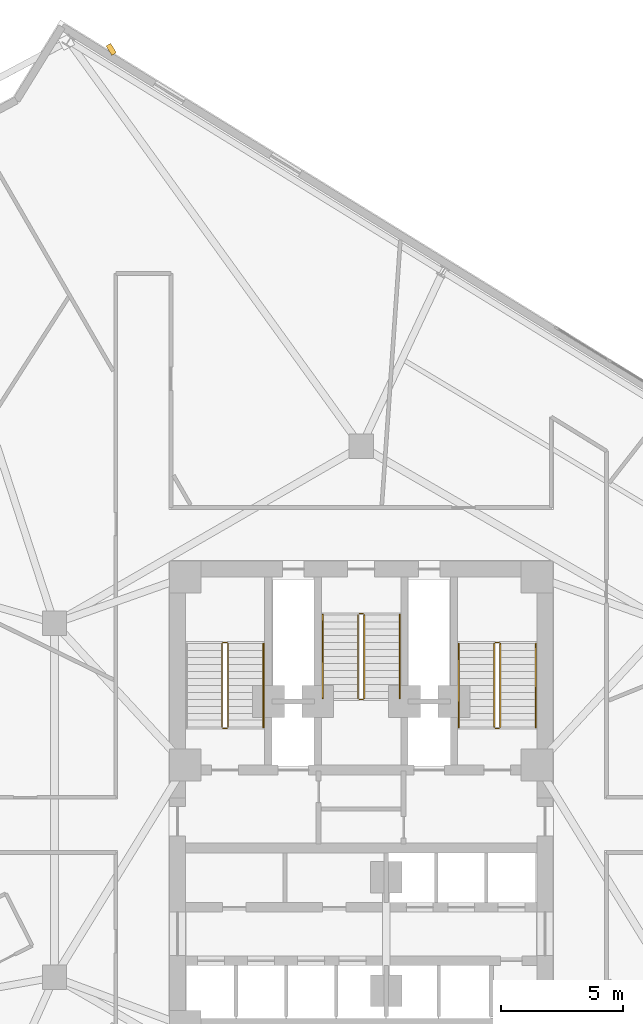
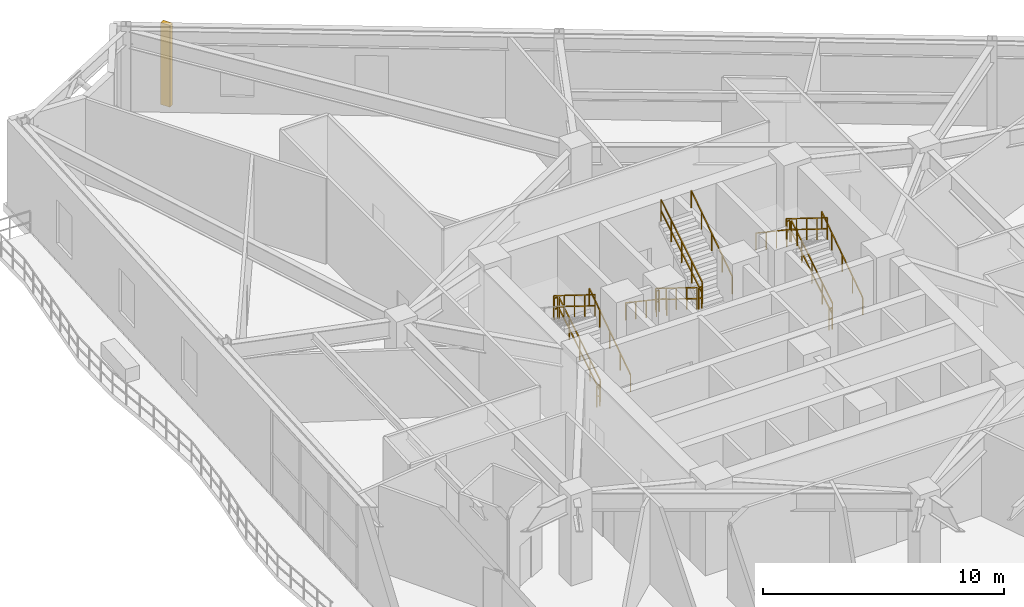
# One storey, part 22 of 22: 17 railings, 1 shading device.
"""IFC4 building model written with IfcOpenShell, lengths in metres."""

from ifc_helpers import new_model, si_unit, direction, frame, origin, origin_2d, place, context, subcontext, project, spatial, rectangle, extrude, material, type_object, element, save


model = new_model("IFC4")

# Units and contexts
model_context = context("Model", 3, precision=1e-05, world=origin(), true_north=direction((0.0, 1.0)))
body_context = subcontext(model_context, "Body", "Model", "MODEL_VIEW")
ifc_project = project(units=[si_unit("LENGTHUNIT", "METRE"), si_unit("AREAUNIT", "SQUARE_METRE"), si_unit("VOLUMEUNIT", "CUBIC_METRE"), si_unit("PLANEANGLEUNIT", "RADIAN"), si_unit("MASSUNIT", "GRAM", prefix="KILO")], contexts=[model_context])

# Site, building, storey
site_placement = place(None, origin())
site = spatial("IfcSite", under=ifc_project, at=site_placement, CompositionType="ELEMENT")
building_placement = place(site_placement, origin())
building = spatial("IfcBuilding", under=site, at=building_placement, Name="Apsidion Concourse Tower", CompositionType="ELEMENT")
storey_placement = place(building_placement, frame((0.0, 0.0, 160.89990234375)))
storey = spatial("IfcBuildingStorey", under=building, at=storey_placement, Name="L37", CompositionType="ELEMENT", Elevation=160.89990234375)

# Railings
ifc_material_1 = material(Name="Brushed stainless steel 316", Category="steel")
railing_type_1 = type_object("IfcRailingType", Name="RL-GUARD-1100", PredefinedType="GUARDRAIL", material=ifc_material_1)
railing_1_placement = place(storey_placement, frame((-5.449951171875, 3.0, 0.177001953125)))
element("IfcRailing", 1, at=railing_1_placement, inside=storey, type_object=railing_type_1, Name="L37 ST1 stair guard 1", PredefinedType="GUARDRAIL", context=body_context, shape_type="SweptSolid", body=[
    extrude(rectangle(XDim=0.048095703125, YDim=0.048095703125, at=origin_2d()), frame((0.0, 0.0, 1.09619140625), z_axis=(0.0, 0.849602680019, 0.527423251388), x_axis=(-1.0, 0.0, 0.0)), (0.0, 0.0, 1.0), 4.025390625),
    extrude(rectangle(XDim=0.048095703125, YDim=0.048095703125, at=origin_2d()), frame((0.0, 0.0, 0.5361328125), z_axis=(0.0, 0.849602680019, 0.527423251388), x_axis=(-1.0, 0.0, 0.0)), (0.0, 0.0, 1.0), 4.025390625),
    extrude(rectangle(XDim=0.0419921875, YDim=0.0419921875, at=origin_2d()), origin(), (0.0, 0.0, 1.0), 1.072021484375),
    extrude(rectangle(XDim=0.0419921875, YDim=0.0419921875, at=origin_2d()), frame((0.0, 0.85498046875, 0.53076171875)), (0.0, 0.0, 1.0), 1.072021484375),
    extrude(rectangle(XDim=0.0419921875, YDim=0.0419921875, at=origin_2d()), frame((0.0, 1.7099609375, 1.0615234375)), (0.0, 0.0, 1.0), 1.072021484375),
    extrude(rectangle(XDim=0.0419921875, YDim=0.0419921875, at=origin_2d()), frame((0.0, 2.56494140625, 1.59228515625)), (0.0, 0.0, 1.0), 1.072021484375),
    extrude(rectangle(XDim=0.0419921875, YDim=0.0419921875, at=origin_2d()), frame((0.0, 3.419921875, 2.123046875)), (0.0, 0.0, 1.0), 1.072021484375),
])
railing_2_placement = place(storey_placement, frame((-5.5, 6.469970703125, 2.300048828125)))
element("IfcRailing", 2, at=railing_2_placement, inside=storey, type_object=railing_type_1, Name="L37 ST1 stair guard 2", PredefinedType="GUARDRAIL", context=body_context, shape_type="SweptSolid", body=[
    extrude(rectangle(XDim=0.048095703125, YDim=0.048095703125, at=origin_2d()), frame((0.0, 0.0, 1.09619140625), z_axis=(-1.0, 0.0, 0.0), x_axis=(0.0, -1.0, 0.0)), (0.0, 0.0, 1.0), 0.14990234375),
    extrude(rectangle(XDim=0.048095703125, YDim=0.048095703125, at=origin_2d()), frame((0.0, 0.0, 0.5361328125), z_axis=(-1.0, 0.0, 0.0), x_axis=(0.0, -1.0, 0.0)), (0.0, 0.0, 1.0), 0.14990234375),
    extrude(rectangle(XDim=0.0419921875, YDim=0.0419921875, at=origin_2d()), origin(), (0.0, 0.0, 1.0), 1.072021484375),
    extrude(rectangle(XDim=0.0419921875, YDim=0.0419921875, at=origin_2d()), frame((-0.14990234375, 0.0, 0.0)), (0.0, 0.0, 1.0), 1.072021484375),
])
railing_3_placement = place(storey_placement, frame((-5.699951171875, 6.419921875, 2.47705078125)))
element("IfcRailing", 3, at=railing_3_placement, inside=storey, type_object=railing_type_1, Name="L37 ST1 stair guard 3", PredefinedType="GUARDRAIL", context=body_context, shape_type="SweptSolid", body=[
    extrude(rectangle(XDim=0.048095703125, YDim=0.048095703125, at=origin_2d()), frame((0.0, 0.0, 1.09619140625), z_axis=(0.0, -0.849602680019, 0.527423251388), x_axis=(1.0, 0.0, 0.0)), (0.0, 0.0, 1.0), 4.025390625),
    extrude(rectangle(XDim=0.048095703125, YDim=0.048095703125, at=origin_2d()), frame((0.0, 0.0, 0.5361328125), z_axis=(0.0, -0.849602680019, 0.527423251388), x_axis=(1.0, 0.0, 0.0)), (0.0, 0.0, 1.0), 4.025390625),
    extrude(rectangle(XDim=0.0419921875, YDim=0.0419921875, at=origin_2d()), origin(), (0.0, 0.0, 1.0), 1.072021484375),
    extrude(rectangle(XDim=0.0419921875, YDim=0.0419921875, at=origin_2d()), frame((0.0, -0.85498046875, 0.53076171875)), (0.0, 0.0, 1.0), 1.072021484375),
    extrude(rectangle(XDim=0.0419921875, YDim=0.0419921875, at=origin_2d()), frame((0.0, -1.7099609375, 1.0615234375)), (0.0, 0.0, 1.0), 1.072021484375),
    extrude(rectangle(XDim=0.0419921875, YDim=0.0419921875, at=origin_2d()), frame((0.0, -2.56494140625, 1.59228515625)), (0.0, 0.0, 1.0), 1.072021484375),
    extrude(rectangle(XDim=0.0419921875, YDim=0.0419921875, at=origin_2d()), frame((0.0, -3.419921875, 2.123046875)), (0.0, 0.0, 1.0), 1.072021484375),
])
railing_4_placement = place(storey_placement, frame((-5.5, 2.949951171875, 0.0)))
element("IfcRailing", 4, at=railing_4_placement, inside=storey, type_object=railing_type_1, Name="L37 ST1 stair guard 4", PredefinedType="GUARDRAIL", context=body_context, shape_type="SweptSolid", body=[
    extrude(rectangle(XDim=0.048095703125, YDim=0.048095703125, at=origin_2d()), frame((0.0, 0.0, 1.09619140625), z_axis=(-1.0, 0.0, 0.0), x_axis=(0.0, -1.0, 0.0)), (0.0, 0.0, 1.0), 0.14990234375),
    extrude(rectangle(XDim=0.048095703125, YDim=0.048095703125, at=origin_2d()), frame((0.0, 0.0, 0.5361328125), z_axis=(-1.0, 0.0, 0.0), x_axis=(0.0, -1.0, 0.0)), (0.0, 0.0, 1.0), 0.14990234375),
    extrude(rectangle(XDim=0.0419921875, YDim=0.0419921875, at=origin_2d()), origin(), (0.0, 0.0, 1.0), 1.072021484375),
    extrude(rectangle(XDim=0.0419921875, YDim=0.0419921875, at=origin_2d()), frame((-0.14990234375, 0.0, 0.0)), (0.0, 0.0, 1.0), 1.072021484375),
])
railing_5_placement = place(storey_placement, frame((5.699951171875, 3.0, 0.177001953125)))
element("IfcRailing", 5, at=railing_5_placement, inside=storey, type_object=railing_type_1, Name="L37 ST2 stair guard 1", PredefinedType="GUARDRAIL", context=body_context, shape_type="SweptSolid", body=[
    extrude(rectangle(XDim=0.048095703125, YDim=0.048095703125, at=origin_2d()), frame((0.0, 0.0, 1.09619140625), z_axis=(0.0, 0.849602680019, 0.527423251388), x_axis=(-1.0, 0.0, 0.0)), (0.0, 0.0, 1.0), 4.025390625),
    extrude(rectangle(XDim=0.048095703125, YDim=0.048095703125, at=origin_2d()), frame((0.0, 0.0, 0.5361328125), z_axis=(0.0, 0.849602680019, 0.527423251388), x_axis=(-1.0, 0.0, 0.0)), (0.0, 0.0, 1.0), 4.025390625),
    extrude(rectangle(XDim=0.0419921875, YDim=0.0419921875, at=origin_2d()), origin(), (0.0, 0.0, 1.0), 1.072021484375),
    extrude(rectangle(XDim=0.0419921875, YDim=0.0419921875, at=origin_2d()), frame((0.0, 0.85498046875, 0.53076171875)), (0.0, 0.0, 1.0), 1.072021484375),
    extrude(rectangle(XDim=0.0419921875, YDim=0.0419921875, at=origin_2d()), frame((0.0, 1.7099609375, 1.0615234375)), (0.0, 0.0, 1.0), 1.072021484375),
    extrude(rectangle(XDim=0.0419921875, YDim=0.0419921875, at=origin_2d()), frame((0.0, 2.56494140625, 1.59228515625)), (0.0, 0.0, 1.0), 1.072021484375),
    extrude(rectangle(XDim=0.0419921875, YDim=0.0419921875, at=origin_2d()), frame((0.0, 3.419921875, 2.123046875)), (0.0, 0.0, 1.0), 1.072021484375),
])
railing_6_placement = place(storey_placement, frame((5.64990234375, 6.469970703125, 2.300048828125)))
element("IfcRailing", 6, at=railing_6_placement, inside=storey, type_object=railing_type_1, Name="L37 ST2 stair guard 2", PredefinedType="GUARDRAIL", context=body_context, shape_type="SweptSolid", body=[
    extrude(rectangle(XDim=0.048095703125, YDim=0.048095703125, at=origin_2d()), frame((0.0, 0.0, 1.09619140625), z_axis=(-1.0, 0.0, 0.0), x_axis=(0.0, -1.0, 0.0)), (0.0, 0.0, 1.0), 0.14990234375),
    extrude(rectangle(XDim=0.048095703125, YDim=0.048095703125, at=origin_2d()), frame((0.0, 0.0, 0.5361328125), z_axis=(-1.0, 0.0, 0.0), x_axis=(0.0, -1.0, 0.0)), (0.0, 0.0, 1.0), 0.14990234375),
    extrude(rectangle(XDim=0.0419921875, YDim=0.0419921875, at=origin_2d()), origin(), (0.0, 0.0, 1.0), 1.072021484375),
    extrude(rectangle(XDim=0.0419921875, YDim=0.0419921875, at=origin_2d()), frame((-0.14990234375, 0.0, 0.0)), (0.0, 0.0, 1.0), 1.072021484375),
])
railing_7_placement = place(storey_placement, frame((5.449951171875, 6.419921875, 2.47705078125)))
element("IfcRailing", 7, at=railing_7_placement, inside=storey, type_object=railing_type_1, Name="L37 ST2 stair guard 3", PredefinedType="GUARDRAIL", context=body_context, shape_type="SweptSolid", body=[
    extrude(rectangle(XDim=0.048095703125, YDim=0.048095703125, at=origin_2d()), frame((0.0, 0.0, 1.09619140625), z_axis=(0.0, -0.849602680019, 0.527423251388), x_axis=(1.0, 0.0, 0.0)), (0.0, 0.0, 1.0), 4.025390625),
    extrude(rectangle(XDim=0.048095703125, YDim=0.048095703125, at=origin_2d()), frame((0.0, 0.0, 0.5361328125), z_axis=(0.0, -0.849602680019, 0.527423251388), x_axis=(1.0, 0.0, 0.0)), (0.0, 0.0, 1.0), 4.025390625),
    extrude(rectangle(XDim=0.0419921875, YDim=0.0419921875, at=origin_2d()), origin(), (0.0, 0.0, 1.0), 1.072021484375),
    extrude(rectangle(XDim=0.0419921875, YDim=0.0419921875, at=origin_2d()), frame((0.0, -0.85498046875, 0.53076171875)), (0.0, 0.0, 1.0), 1.072021484375),
    extrude(rectangle(XDim=0.0419921875, YDim=0.0419921875, at=origin_2d()), frame((0.0, -1.7099609375, 1.0615234375)), (0.0, 0.0, 1.0), 1.072021484375),
    extrude(rectangle(XDim=0.0419921875, YDim=0.0419921875, at=origin_2d()), frame((0.0, -2.56494140625, 1.59228515625)), (0.0, 0.0, 1.0), 1.072021484375),
    extrude(rectangle(XDim=0.0419921875, YDim=0.0419921875, at=origin_2d()), frame((0.0, -3.419921875, 2.123046875)), (0.0, 0.0, 1.0), 1.072021484375),
])
railing_8_placement = place(storey_placement, frame((5.64990234375, 2.949951171875, 0.0)))
element("IfcRailing", 8, at=railing_8_placement, inside=storey, type_object=railing_type_1, Name="L37 ST2 stair guard 4", PredefinedType="GUARDRAIL", context=body_context, shape_type="SweptSolid", body=[
    extrude(rectangle(XDim=0.048095703125, YDim=0.048095703125, at=origin_2d()), frame((0.0, 0.0, 1.09619140625), z_axis=(-1.0, 0.0, 0.0), x_axis=(0.0, -1.0, 0.0)), (0.0, 0.0, 1.0), 0.14990234375),
    extrude(rectangle(XDim=0.048095703125, YDim=0.048095703125, at=origin_2d()), frame((0.0, 0.0, 0.5361328125), z_axis=(-1.0, 0.0, 0.0), x_axis=(0.0, -1.0, 0.0)), (0.0, 0.0, 1.0), 0.14990234375),
    extrude(rectangle(XDim=0.0419921875, YDim=0.0419921875, at=origin_2d()), origin(), (0.0, 0.0, 1.0), 1.072021484375),
    extrude(rectangle(XDim=0.0419921875, YDim=0.0419921875, at=origin_2d()), frame((-0.14990234375, 0.0, 0.0)), (0.0, 0.0, 1.0), 1.072021484375),
])
railing_9_placement = place(storey_placement, frame((-0.125, 7.60009765625, 0.177001953125)))
element("IfcRailing", 9, at=railing_9_placement, inside=storey, type_object=railing_type_1, Name="L37 ST3 stair guard 1", PredefinedType="GUARDRAIL", context=body_context, shape_type="SweptSolid", body=[
    extrude(rectangle(XDim=0.048095703125, YDim=0.048095703125, at=origin_2d()), frame((0.0, 0.0, 1.09619140625), z_axis=(0.0, -0.849619550393, 0.527396074682), x_axis=(1.0, 0.0, 0.0)), (0.0, 0.0, 1.0), 4.025634765625),
    extrude(rectangle(XDim=0.048095703125, YDim=0.048095703125, at=origin_2d()), frame((0.0, 0.0, 0.5361328125), z_axis=(0.0, -0.849619550393, 0.527396074682), x_axis=(1.0, 0.0, 0.0)), (0.0, 0.0, 1.0), 4.025634765625),
    extrude(rectangle(XDim=0.0419921875, YDim=0.0419921875, at=origin_2d()), origin(), (0.0, 0.0, 1.0), 1.072021484375),
    extrude(rectangle(XDim=0.0419921875, YDim=0.0419921875, at=origin_2d()), frame((0.0, -0.85498046875, 0.53076171875)), (0.0, 0.0, 1.0), 1.072021484375),
    extrude(rectangle(XDim=0.0419921875, YDim=0.0419921875, at=origin_2d()), frame((0.0, -1.7099609375, 1.0615234375)), (0.0, 0.0, 1.0), 1.072021484375),
    extrude(rectangle(XDim=0.0419921875, YDim=0.0419921875, at=origin_2d()), frame((0.0, -2.565185546875, 1.59228515625)), (0.0, 0.0, 1.0), 1.072021484375),
    extrude(rectangle(XDim=0.0419921875, YDim=0.0419921875, at=origin_2d()), frame((0.0, -3.420166015625, 2.123046875)), (0.0, 0.0, 1.0), 1.072021484375),
])
railing_10_placement = place(storey_placement, frame((-0.074951171875, 4.1298828125, 2.300048828125)))
element("IfcRailing", 10, at=railing_10_placement, inside=storey, type_object=railing_type_1, Name="L37 ST3 stair guard 2", PredefinedType="GUARDRAIL", context=body_context, shape_type="SweptSolid", body=[
    extrude(rectangle(XDim=0.048095703125, YDim=0.048095703125, at=origin_2d()), frame((0.0, 0.0, 1.09619140625), z_axis=(1.0, 0.0, 0.0), x_axis=(0.0, 1.0, 0.0)), (0.0, 0.0, 1.0), 0.14990234375),
    extrude(rectangle(XDim=0.048095703125, YDim=0.048095703125, at=origin_2d()), frame((0.0, 0.0, 0.5361328125), z_axis=(1.0, 0.0, 0.0), x_axis=(0.0, 1.0, 0.0)), (0.0, 0.0, 1.0), 0.14990234375),
    extrude(rectangle(XDim=0.0419921875, YDim=0.0419921875, at=origin_2d()), origin(), (0.0, 0.0, 1.0), 1.072021484375),
    extrude(rectangle(XDim=0.0419921875, YDim=0.0419921875, at=origin_2d()), frame((0.14990234375, 0.0, 0.0)), (0.0, 0.0, 1.0), 1.072021484375),
])
railing_11_placement = place(storey_placement, frame((0.125, 4.179931640625, 2.47705078125)))
element("IfcRailing", 11, at=railing_11_placement, inside=storey, type_object=railing_type_1, Name="L37 ST3 stair guard 3", PredefinedType="GUARDRAIL", context=body_context, shape_type="SweptSolid", body=[
    extrude(rectangle(XDim=0.048095703125, YDim=0.048095703125, at=origin_2d()), frame((0.0, 0.0, 1.09619140625), z_axis=(0.0, 0.849619550393, 0.527396074682), x_axis=(-1.0, 0.0, 0.0)), (0.0, 0.0, 1.0), 4.025634765625),
    extrude(rectangle(XDim=0.048095703125, YDim=0.048095703125, at=origin_2d()), frame((0.0, 0.0, 0.5361328125), z_axis=(0.0, 0.849619550393, 0.527396074682), x_axis=(-1.0, 0.0, 0.0)), (0.0, 0.0, 1.0), 4.025634765625),
    extrude(rectangle(XDim=0.0419921875, YDim=0.0419921875, at=origin_2d()), origin(), (0.0, 0.0, 1.0), 1.072021484375),
    extrude(rectangle(XDim=0.0419921875, YDim=0.0419921875, at=origin_2d()), frame((0.0, 0.85498046875, 0.53076171875)), (0.0, 0.0, 1.0), 1.072021484375),
    extrude(rectangle(XDim=0.0419921875, YDim=0.0419921875, at=origin_2d()), frame((0.0, 1.7099609375, 1.0615234375)), (0.0, 0.0, 1.0), 1.072021484375),
    extrude(rectangle(XDim=0.0419921875, YDim=0.0419921875, at=origin_2d()), frame((0.0, 2.565185546875, 1.59228515625)), (0.0, 0.0, 1.0), 1.072021484375),
    extrude(rectangle(XDim=0.0419921875, YDim=0.0419921875, at=origin_2d()), frame((0.0, 3.420166015625, 2.123046875)), (0.0, 0.0, 1.0), 1.072021484375),
])
railing_12_placement = place(storey_placement, frame((-0.074951171875, 7.64990234375, 0.0)))
element("IfcRailing", 12, at=railing_12_placement, inside=storey, type_object=railing_type_1, Name="L37 ST3 stair guard 4", PredefinedType="GUARDRAIL", context=body_context, shape_type="SweptSolid", body=[
    extrude(rectangle(XDim=0.048095703125, YDim=0.048095703125, at=origin_2d()), frame((0.0, 0.0, 1.09619140625), z_axis=(1.0, 0.0, 0.0), x_axis=(0.0, 1.0, 0.0)), (0.0, 0.0, 1.0), 0.14990234375),
    extrude(rectangle(XDim=0.048095703125, YDim=0.048095703125, at=origin_2d()), frame((0.0, 0.0, 0.5361328125), z_axis=(1.0, 0.0, 0.0), x_axis=(0.0, 1.0, 0.0)), (0.0, 0.0, 1.0), 0.14990234375),
    extrude(rectangle(XDim=0.0419921875, YDim=0.0419921875, at=origin_2d()), origin(), (0.0, 0.0, 1.0), 1.072021484375),
    extrude(rectangle(XDim=0.0419921875, YDim=0.0419921875, at=origin_2d()), frame((0.14990234375, 0.0, 0.0)), (0.0, 0.0, 1.0), 1.072021484375),
])
railing_type_2 = type_object("IfcRailingType", Name="RL-HAND-900", PredefinedType="HANDRAIL", material=ifc_material_1)
for number, where, name in (
    (13, (-4.0, 3.0, 0.177001953125), "L37 ST1 stair handrail 1"),
    (14, (7.14990234375, 3.0, 0.177001953125), "L37 ST2 stair handrail 1"),
):
    element("IfcRailing", number, at=place(storey_placement, frame(where)), inside=storey, type_object=railing_type_2, Name=name, PredefinedType="HANDRAIL", context=body_context, shape_type="SweptSolid", body=[
        extrude(rectangle(XDim=0.048095703125, YDim=0.048095703125, at=origin_2d()), frame((0.0, 0.0, 0.8759765625), z_axis=(0.0, 0.8297924358, 0.55807214004), x_axis=(-1.0, 0.0, 0.0)), (0.0, 0.0, 1.0), 4.121337890625),
        extrude(rectangle(XDim=0.0419921875, YDim=0.0419921875, at=origin_2d()), origin(), (0.0, 0.0, 1.0), 0.851806640625),
        extrude(rectangle(XDim=0.0419921875, YDim=0.0419921875, at=origin_2d()), frame((0.0, 0.85498046875, 0.574951171875)), (0.0, 0.0, 1.0), 0.851806640625),
        extrude(rectangle(XDim=0.0419921875, YDim=0.0419921875, at=origin_2d()), frame((0.0, 1.7099609375, 1.14990234375)), (0.0, 0.0, 1.0), 0.851806640625),
        extrude(rectangle(XDim=0.0419921875, YDim=0.0419921875, at=origin_2d()), frame((0.0, 2.56494140625, 1.72509765625)), (0.0, 0.0, 1.0), 0.851806640625),
        extrude(rectangle(XDim=0.0419921875, YDim=0.0419921875, at=origin_2d()), frame((0.0, 3.419921875, 2.300048828125)), (0.0, 0.0, 1.0), 0.851806640625),
    ])
railing_13_placement = place(storey_placement, frame((4.0, 6.419921875, 2.47705078125)))
element("IfcRailing", 15, at=railing_13_placement, inside=storey, type_object=railing_type_2, Name="L37 ST2 stair handrail 2", PredefinedType="HANDRAIL", context=body_context, shape_type="SweptSolid", body=[
    extrude(rectangle(XDim=0.048095703125, YDim=0.048095703125, at=origin_2d()), frame((0.0, 0.0, 0.8759765625), z_axis=(0.0, -0.8297924358, 0.55807214004), x_axis=(1.0, 0.0, 0.0)), (0.0, 0.0, 1.0), 4.121337890625),
    extrude(rectangle(XDim=0.0419921875, YDim=0.0419921875, at=origin_2d()), origin(), (0.0, 0.0, 1.0), 0.851806640625),
    extrude(rectangle(XDim=0.0419921875, YDim=0.0419921875, at=origin_2d()), frame((0.0, -0.85498046875, 0.574951171875)), (0.0, 0.0, 1.0), 0.851806640625),
    extrude(rectangle(XDim=0.0419921875, YDim=0.0419921875, at=origin_2d()), frame((0.0, -1.7099609375, 1.14990234375)), (0.0, 0.0, 1.0), 0.851806640625),
    extrude(rectangle(XDim=0.0419921875, YDim=0.0419921875, at=origin_2d()), frame((0.0, -2.56494140625, 1.72509765625)), (0.0, 0.0, 1.0), 0.851806640625),
    extrude(rectangle(XDim=0.0419921875, YDim=0.0419921875, at=origin_2d()), frame((0.0, -3.419921875, 2.300048828125)), (0.0, 0.0, 1.0), 0.851806640625),
])
railing_14_placement = place(storey_placement, frame((-1.574951171875, 7.60009765625, 0.177001953125)))
element("IfcRailing", 16, at=railing_14_placement, inside=storey, type_object=railing_type_2, Name="L37 ST3 stair handrail 1", PredefinedType="HANDRAIL", context=body_context, shape_type="SweptSolid", body=[
    extrude(rectangle(XDim=0.048095703125, YDim=0.048095703125, at=origin_2d()), frame((0.0, 0.0, 0.8759765625), z_axis=(0.0, -0.829810883491, 0.558044709356), x_axis=(1.0, 0.0, 0.0)), (0.0, 0.0, 1.0), 4.12158203125),
    extrude(rectangle(XDim=0.0419921875, YDim=0.0419921875, at=origin_2d()), origin(), (0.0, 0.0, 1.0), 0.851806640625),
    extrude(rectangle(XDim=0.0419921875, YDim=0.0419921875, at=origin_2d()), frame((0.0, -0.85498046875, 0.574951171875)), (0.0, 0.0, 1.0), 0.851806640625),
    extrude(rectangle(XDim=0.0419921875, YDim=0.0419921875, at=origin_2d()), frame((0.0, -1.7099609375, 1.14990234375)), (0.0, 0.0, 1.0), 0.851806640625),
    extrude(rectangle(XDim=0.0419921875, YDim=0.0419921875, at=origin_2d()), frame((0.0, -2.565185546875, 1.72509765625)), (0.0, 0.0, 1.0), 0.851806640625),
    extrude(rectangle(XDim=0.0419921875, YDim=0.0419921875, at=origin_2d()), frame((0.0, -3.420166015625, 2.300048828125)), (0.0, 0.0, 1.0), 0.851806640625),
])
railing_15_placement = place(storey_placement, frame((1.574951171875, 4.179931640625, 2.47705078125)))
element("IfcRailing", 17, at=railing_15_placement, inside=storey, type_object=railing_type_2, Name="L37 ST3 stair handrail 2", PredefinedType="HANDRAIL", context=body_context, shape_type="SweptSolid", body=[
    extrude(rectangle(XDim=0.048095703125, YDim=0.048095703125, at=origin_2d()), frame((0.0, 0.0, 0.8759765625), z_axis=(0.0, 0.829810883491, 0.558044709356), x_axis=(-1.0, 0.0, 0.0)), (0.0, 0.0, 1.0), 4.12158203125),
    extrude(rectangle(XDim=0.0419921875, YDim=0.0419921875, at=origin_2d()), origin(), (0.0, 0.0, 1.0), 0.851806640625),
    extrude(rectangle(XDim=0.0419921875, YDim=0.0419921875, at=origin_2d()), frame((0.0, 0.85498046875, 0.574951171875)), (0.0, 0.0, 1.0), 0.851806640625),
    extrude(rectangle(XDim=0.0419921875, YDim=0.0419921875, at=origin_2d()), frame((0.0, 1.7099609375, 1.14990234375)), (0.0, 0.0, 1.0), 0.851806640625),
    extrude(rectangle(XDim=0.0419921875, YDim=0.0419921875, at=origin_2d()), frame((0.0, 2.565185546875, 1.72509765625)), (0.0, 0.0, 1.0), 0.851806640625),
    extrude(rectangle(XDim=0.0419921875, YDim=0.0419921875, at=origin_2d()), frame((0.0, 3.420166015625, 2.300048828125)), (0.0, 0.0, 1.0), 0.851806640625),
])

# Shading device
ifc_material_2 = material(Name="Anodised aluminium EN AW-6063 T6", Category="aluminium")
shading_device_type = type_object("IfcShadingDeviceType", Name="SH-FIN-STONE", PredefinedType="USERDEFINED", material=ifc_material_2)
shading_device_placement = place(storey_placement, frame((-10.237060546875, 30.76171875, 0.10009765625), z_axis=(0.0, 0.0, 1.0), x_axis=(0.851177750474, 0.524877544859, 0.0)))
element("IfcShadingDevice", 18, at=shading_device_placement, inside=storey, type_object=shading_device_type, Name="L37 Facade Vertical Solar Fin 1", ObjectType="FIN", PredefinedType="USERDEFINED", context=body_context, shape_type="SweptSolid", body=[
    extrude(rectangle(XDim=0.219970703125, YDim=0.449951171875, at=origin_2d()), origin(), (0.0, 0.0, 1.0), 4.14990234375),
])

save(model, "model.ifc")
